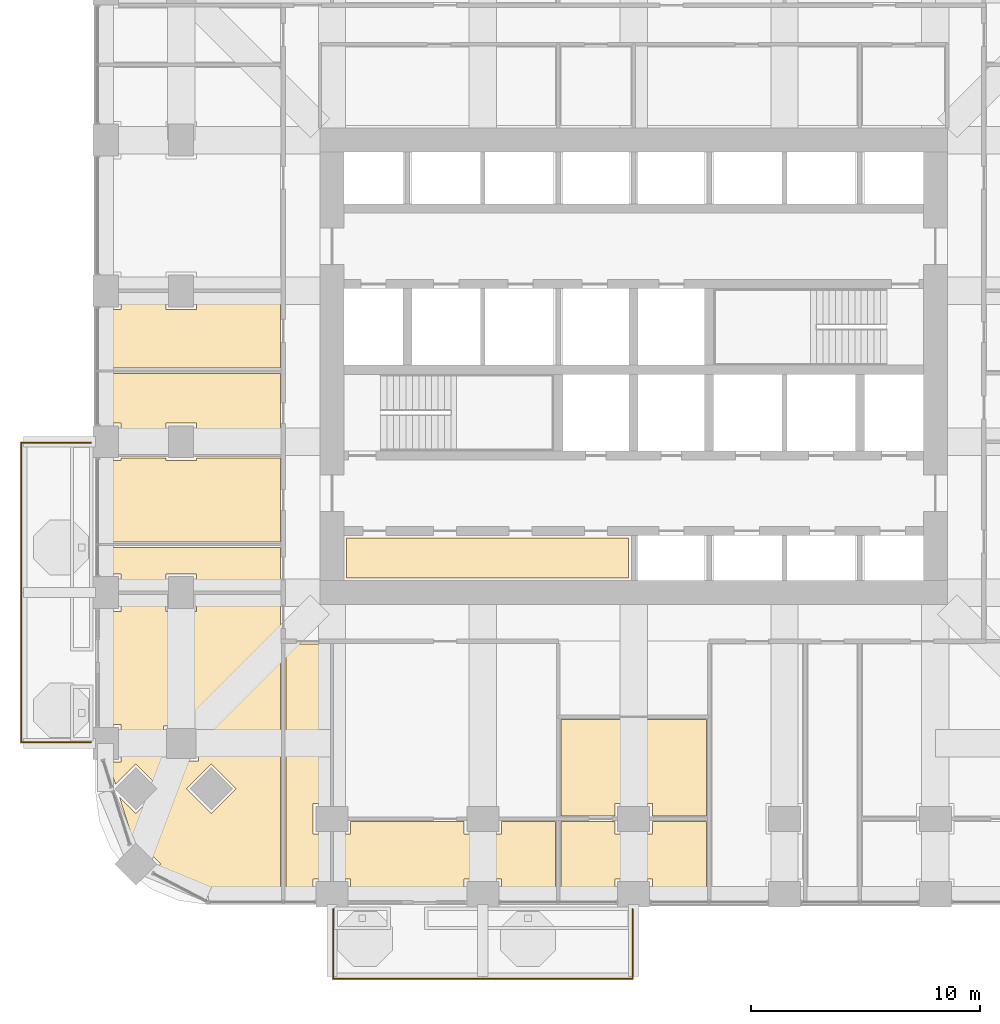
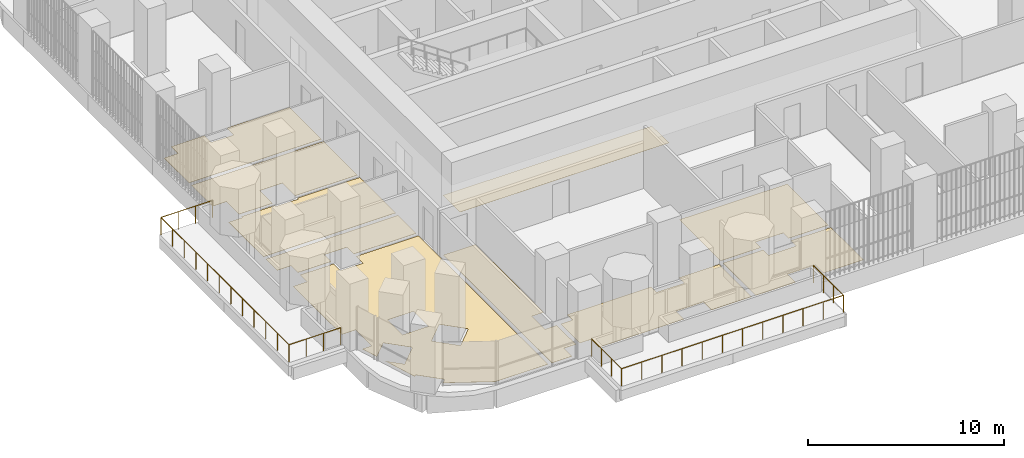
# One storey, part 17 of 21: 10 coverings, 2 railings.
"""IFC4 building model written with IfcOpenShell, lengths in metres."""

from ifc_helpers import new_model, si_unit, direction, frame, origin, place, context, subcontext, project, spatial, polyline, outline, extrude, material, layer, layer_set, type_object, element, save


model = new_model("IFC4")

# Units and contexts
model_context = context("Model", 3, precision=1e-05, world=origin(), true_north=direction((0.0, 1.0)))
body_context = subcontext(model_context, "Body", "Model", "MODEL_VIEW")
ifc_project = project(units=[si_unit("LENGTHUNIT", "METRE"), si_unit("AREAUNIT", "SQUARE_METRE"), si_unit("VOLUMEUNIT", "CUBIC_METRE"), si_unit("PLANEANGLEUNIT", "RADIAN"), si_unit("MASSUNIT", "GRAM", prefix="KILO")], contexts=[model_context])

# Site, building, storey
site_placement = place(None, origin())
site = spatial("IfcSite", under=ifc_project, at=site_placement, CompositionType="ELEMENT")
building_placement = place(site_placement, origin())
building = spatial("IfcBuilding", under=site, at=building_placement, Name="Cobogo Forest Laboratory Tower", CompositionType="ELEMENT")
storey_placement = place(building_placement, frame((0.0, 0.0, 115.800048828125)))
storey = spatial("IfcBuildingStorey", under=building, at=storey_placement, Name="L26", CompositionType="ELEMENT", Elevation=115.800048828125)

# Railings
ifc_material_1 = material(Name="Laminated glass balustrade", Category="glass")
railing_type = type_object("IfcRailingType", Name="BG1 glass balustrade 1100", PredefinedType="GUARDRAIL", material=ifc_material_1)
railing_1_placement = place(storey_placement, frame((13.25, -0.64990234375, 0.0)))
element("IfcRailing", 1, at=railing_1_placement, inside=storey, type_object=railing_type, Name="Balcony balustrade BAL-S1 L26", PredefinedType="GUARDRAIL", context=body_context, shape_type="SweptSolid", body=[
    extrude(outline(polyline([(0.022216796875, 0.00927734375), (0.00927734375, 0.022216796875), (-0.00927734375, 0.022216796875), (-0.022216796875, 0.00927734375), (-0.022216796875, -0.00927734375), (-0.00927734375, -0.022216796875), (0.00927734375, -0.022216796875), (0.022216796875, -0.00927734375), (0.022216796875, 0.00927734375)])), frame((0.0, 0.0, 1.077880859375), z_axis=(0.0, -1.0, 0.0), x_axis=(1.0, 0.0, 0.0)), (0.0, 0.0, 1.0), 3.050048828125),
    extrude(outline(polyline([(0.022216796875, 0.00927734375), (0.00927734375, 0.022216796875), (-0.00927734375, 0.022216796875), (-0.022216796875, 0.00927734375), (-0.022216796875, -0.00927734375), (-0.00927734375, -0.022216796875), (0.00927734375, -0.022216796875), (0.022216796875, -0.00927734375), (0.022216796875, 0.00927734375)])), frame((0.0, -3.050048828125, 1.077880859375), z_axis=(1.0, 0.0, 0.0), x_axis=(0.0, 1.0, 0.0)), (0.0, 0.0, 1.0), 13.10009765625),
    extrude(outline(polyline([(0.022216796875, 0.00927734375), (0.00927734375, 0.022216796875), (-0.00927734375, 0.022216796875), (-0.022216796875, 0.00927734375), (-0.022216796875, -0.00927734375), (-0.00927734375, -0.022216796875), (0.00927734375, -0.022216796875), (0.022216796875, -0.00927734375), (0.022216796875, 0.00927734375)])), frame((13.10009765625, -3.050048828125, 1.077880859375), z_axis=(0.0, 1.0, 0.0), x_axis=(-1.0, 0.0, 0.0)), (0.0, 0.0, 1.0), 3.050048828125),
    extrude(outline(polyline([(0.019287109375, 0.008056640625), (0.008056640625, 0.019287109375), (-0.008056640625, 0.019287109375), (-0.019287109375, 0.008056640625), (-0.019287109375, -0.008056640625), (-0.008056640625, -0.019287109375), (0.008056640625, -0.019287109375), (0.019287109375, -0.008056640625), (0.019287109375, 0.008056640625)])), origin(), (0.0, 0.0, 1.0), 1.077880859375),
    extrude(outline(polyline([(0.019287109375, 0.008056640625), (0.008056640625, 0.019287109375), (-0.008056640625, 0.019287109375), (-0.019287109375, 0.008056640625), (-0.019287109375, -0.008056640625), (-0.008056640625, -0.019287109375), (0.008056640625, -0.019287109375), (0.019287109375, -0.008056640625), (0.019287109375, 0.008056640625)])), frame((0.0, -1.0166015625, 0.0)), (0.0, 0.0, 1.0), 1.077880859375),
    extrude(outline(polyline([(0.019287109375, 0.008056640625), (0.008056640625, 0.019287109375), (-0.008056640625, 0.019287109375), (-0.019287109375, 0.008056640625), (-0.019287109375, -0.008056640625), (-0.008056640625, -0.019287109375), (0.008056640625, -0.019287109375), (0.019287109375, -0.008056640625), (0.019287109375, 0.008056640625)])), frame((0.0, -2.033447265625, 0.0)), (0.0, 0.0, 1.0), 1.077880859375),
    extrude(outline(polyline([(0.019287109375, 0.008056640625), (0.008056640625, 0.019287109375), (-0.008056640625, 0.019287109375), (-0.019287109375, 0.008056640625), (-0.019287109375, -0.008056640625), (-0.008056640625, -0.019287109375), (0.008056640625, -0.019287109375), (0.019287109375, -0.008056640625), (0.019287109375, 0.008056640625)])), frame((0.0, -3.050048828125, 0.0)), (0.0, 0.0, 1.0), 1.077880859375),
    extrude(outline(polyline([(0.019287109375, 0.008056640625), (0.008056640625, 0.019287109375), (-0.008056640625, 0.019287109375), (-0.019287109375, 0.008056640625), (-0.019287109375, -0.008056640625), (-0.008056640625, -0.019287109375), (0.008056640625, -0.019287109375), (0.019287109375, -0.008056640625), (0.019287109375, 0.008056640625)])), frame((1.19091796875, -3.050048828125, 0.0)), (0.0, 0.0, 1.0), 1.077880859375),
    extrude(outline(polyline([(0.019287109375, 0.008056640625), (0.008056640625, 0.019287109375), (-0.008056640625, 0.019287109375), (-0.019287109375, 0.008056640625), (-0.019287109375, -0.008056640625), (-0.008056640625, -0.019287109375), (0.008056640625, -0.019287109375), (0.019287109375, -0.008056640625), (0.019287109375, 0.008056640625)])), frame((2.3818359375, -3.050048828125, 0.0)), (0.0, 0.0, 1.0), 1.077880859375),
    extrude(outline(polyline([(0.019287109375, 0.008056640625), (0.008056640625, 0.019287109375), (-0.008056640625, 0.019287109375), (-0.019287109375, 0.008056640625), (-0.019287109375, -0.008056640625), (-0.008056640625, -0.019287109375), (0.008056640625, -0.019287109375), (0.019287109375, -0.008056640625), (0.019287109375, 0.008056640625)])), frame((3.57275390625, -3.050048828125, 0.0)), (0.0, 0.0, 1.0), 1.077880859375),
    extrude(outline(polyline([(0.019287109375, 0.008056640625), (0.008056640625, 0.019287109375), (-0.008056640625, 0.019287109375), (-0.019287109375, 0.008056640625), (-0.019287109375, -0.008056640625), (-0.008056640625, -0.019287109375), (0.008056640625, -0.019287109375), (0.019287109375, -0.008056640625), (0.019287109375, 0.008056640625)])), frame((4.763671875, -3.050048828125, 0.0)), (0.0, 0.0, 1.0), 1.077880859375),
    extrude(outline(polyline([(0.019287109375, 0.008056640625), (0.008056640625, 0.019287109375), (-0.008056640625, 0.019287109375), (-0.019287109375, 0.008056640625), (-0.019287109375, -0.008056640625), (-0.008056640625, -0.019287109375), (0.008056640625, -0.019287109375), (0.019287109375, -0.008056640625), (0.019287109375, 0.008056640625)])), frame((5.95458984375, -3.050048828125, 0.0)), (0.0, 0.0, 1.0), 1.077880859375),
    extrude(outline(polyline([(0.019287109375, 0.008056640625), (0.008056640625, 0.019287109375), (-0.008056640625, 0.019287109375), (-0.019287109375, 0.008056640625), (-0.019287109375, -0.008056640625), (-0.008056640625, -0.019287109375), (0.008056640625, -0.019287109375), (0.019287109375, -0.008056640625), (0.019287109375, 0.008056640625)])), frame((7.1455078125, -3.050048828125, 0.0)), (0.0, 0.0, 1.0), 1.077880859375),
    extrude(outline(polyline([(0.019287109375, 0.008056640625), (0.008056640625, 0.019287109375), (-0.008056640625, 0.019287109375), (-0.019287109375, 0.008056640625), (-0.019287109375, -0.008056640625), (-0.008056640625, -0.019287109375), (0.008056640625, -0.019287109375), (0.019287109375, -0.008056640625), (0.019287109375, 0.008056640625)])), frame((8.33642578125, -3.050048828125, 0.0)), (0.0, 0.0, 1.0), 1.077880859375),
    extrude(outline(polyline([(0.019287109375, 0.008056640625), (0.008056640625, 0.019287109375), (-0.008056640625, 0.019287109375), (-0.019287109375, 0.008056640625), (-0.019287109375, -0.008056640625), (-0.008056640625, -0.019287109375), (0.008056640625, -0.019287109375), (0.019287109375, -0.008056640625), (0.019287109375, 0.008056640625)])), frame((9.52734375, -3.050048828125, 0.0)), (0.0, 0.0, 1.0), 1.077880859375),
    extrude(outline(polyline([(0.019287109375, 0.008056640625), (0.008056640625, 0.019287109375), (-0.008056640625, 0.019287109375), (-0.019287109375, 0.008056640625), (-0.019287109375, -0.008056640625), (-0.008056640625, -0.019287109375), (0.008056640625, -0.019287109375), (0.019287109375, -0.008056640625), (0.019287109375, 0.008056640625)])), frame((10.71826171875, -3.050048828125, 0.0)), (0.0, 0.0, 1.0), 1.077880859375),
    extrude(outline(polyline([(0.019287109375, 0.008056640625), (0.008056640625, 0.019287109375), (-0.008056640625, 0.019287109375), (-0.019287109375, 0.008056640625), (-0.019287109375, -0.008056640625), (-0.008056640625, -0.019287109375), (0.008056640625, -0.019287109375), (0.019287109375, -0.008056640625), (0.019287109375, 0.008056640625)])), frame((11.9091796875, -3.050048828125, 0.0)), (0.0, 0.0, 1.0), 1.077880859375),
    extrude(outline(polyline([(0.019287109375, 0.008056640625), (0.008056640625, 0.019287109375), (-0.008056640625, 0.019287109375), (-0.019287109375, 0.008056640625), (-0.019287109375, -0.008056640625), (-0.008056640625, -0.019287109375), (0.008056640625, -0.019287109375), (0.019287109375, -0.008056640625), (0.019287109375, 0.008056640625)])), frame((13.10009765625, -3.050048828125, 0.0)), (0.0, 0.0, 1.0), 1.077880859375),
    extrude(outline(polyline([(0.019287109375, 0.008056640625), (0.008056640625, 0.019287109375), (-0.008056640625, 0.019287109375), (-0.019287109375, 0.008056640625), (-0.019287109375, -0.008056640625), (-0.008056640625, -0.019287109375), (0.008056640625, -0.019287109375), (0.019287109375, -0.008056640625), (0.019287109375, 0.008056640625)])), frame((13.10009765625, -2.033447265625, 0.0)), (0.0, 0.0, 1.0), 1.077880859375),
    extrude(outline(polyline([(0.019287109375, 0.008056640625), (0.008056640625, 0.019287109375), (-0.008056640625, 0.019287109375), (-0.019287109375, 0.008056640625), (-0.019287109375, -0.008056640625), (-0.008056640625, -0.019287109375), (0.008056640625, -0.019287109375), (0.019287109375, -0.008056640625), (0.019287109375, 0.008056640625)])), frame((13.10009765625, -1.0166015625, 0.0)), (0.0, 0.0, 1.0), 1.077880859375),
    extrude(outline(polyline([(0.019287109375, 0.008056640625), (0.008056640625, 0.019287109375), (-0.008056640625, 0.019287109375), (-0.019287109375, 0.008056640625), (-0.019287109375, -0.008056640625), (-0.008056640625, -0.019287109375), (0.008056640625, -0.019287109375), (0.019287109375, -0.008056640625), (0.019287109375, 0.008056640625)])), frame((13.10009765625, 0.0, 0.0)), (0.0, 0.0, 1.0), 1.077880859375),
])
railing_2_placement = place(storey_placement, frame((2.64990234375, 6.64990234375, 0.0)))
element("IfcRailing", 2, at=railing_2_placement, inside=storey, type_object=railing_type, Name="Balcony balustrade BAL-W1 L26", PredefinedType="GUARDRAIL", context=body_context, shape_type="SweptSolid", body=[
    extrude(outline(polyline([(0.022216796875, 0.00927734375), (0.00927734375, 0.022216796875), (-0.00927734375, 0.022216796875), (-0.022216796875, 0.00927734375), (-0.022216796875, -0.00927734375), (-0.00927734375, -0.022216796875), (0.00927734375, -0.022216796875), (0.022216796875, -0.00927734375), (0.022216796875, 0.00927734375)])), frame((0.0, 0.0, 1.077880859375), z_axis=(-1.0, 0.0, 0.0), x_axis=(0.0, -1.0, 0.0)), (0.0, 0.0, 1.0), 3.0498046875),
    extrude(outline(polyline([(0.022216796875, 0.00927734375), (0.00927734375, 0.022216796875), (-0.00927734375, 0.022216796875), (-0.022216796875, 0.00927734375), (-0.022216796875, -0.00927734375), (-0.00927734375, -0.022216796875), (0.00927734375, -0.022216796875), (0.022216796875, -0.00927734375), (0.022216796875, 0.00927734375)])), frame((-3.0498046875, 0.0, 1.077880859375), z_axis=(0.0, 1.0, 0.0), x_axis=(-1.0, 0.0, 0.0)), (0.0, 0.0, 1.0), 13.10009765625),
    extrude(outline(polyline([(0.022216796875, 0.00927734375), (0.00927734375, 0.022216796875), (-0.00927734375, 0.022216796875), (-0.022216796875, 0.00927734375), (-0.022216796875, -0.00927734375), (-0.00927734375, -0.022216796875), (0.00927734375, -0.022216796875), (0.022216796875, -0.00927734375), (0.022216796875, 0.00927734375)])), frame((-3.0498046875, 13.10009765625, 1.077880859375), z_axis=(1.0, 0.0, 0.0), x_axis=(0.0, 1.0, 0.0)), (0.0, 0.0, 1.0), 3.0498046875),
    extrude(outline(polyline([(0.019287109375, 0.008056640625), (0.008056640625, 0.019287109375), (-0.008056640625, 0.019287109375), (-0.019287109375, 0.008056640625), (-0.019287109375, -0.008056640625), (-0.008056640625, -0.019287109375), (0.008056640625, -0.019287109375), (0.019287109375, -0.008056640625), (0.019287109375, 0.008056640625)])), origin(), (0.0, 0.0, 1.0), 1.077880859375),
    extrude(outline(polyline([(0.019287109375, 0.008056640625), (0.008056640625, 0.019287109375), (-0.008056640625, 0.019287109375), (-0.019287109375, 0.008056640625), (-0.019287109375, -0.008056640625), (-0.008056640625, -0.019287109375), (0.008056640625, -0.019287109375), (0.019287109375, -0.008056640625), (0.019287109375, 0.008056640625)])), frame((-1.0166015625, 0.0, 0.0)), (0.0, 0.0, 1.0), 1.077880859375),
    extrude(outline(polyline([(0.019287109375, 0.008056640625), (0.008056640625, 0.019287109375), (-0.008056640625, 0.019287109375), (-0.019287109375, 0.008056640625), (-0.019287109375, -0.008056640625), (-0.008056640625, -0.019287109375), (0.008056640625, -0.019287109375), (0.019287109375, -0.008056640625), (0.019287109375, 0.008056640625)])), frame((-2.033203125, 0.0, 0.0)), (0.0, 0.0, 1.0), 1.077880859375),
    extrude(outline(polyline([(0.019287109375, 0.008056640625), (0.008056640625, 0.019287109375), (-0.008056640625, 0.019287109375), (-0.019287109375, 0.008056640625), (-0.019287109375, -0.008056640625), (-0.008056640625, -0.019287109375), (0.008056640625, -0.019287109375), (0.019287109375, -0.008056640625), (0.019287109375, 0.008056640625)])), frame((-3.0498046875, 0.0, 0.0)), (0.0, 0.0, 1.0), 1.077880859375),
    extrude(outline(polyline([(0.019287109375, 0.008056640625), (0.008056640625, 0.019287109375), (-0.008056640625, 0.019287109375), (-0.019287109375, 0.008056640625), (-0.019287109375, -0.008056640625), (-0.008056640625, -0.019287109375), (0.008056640625, -0.019287109375), (0.019287109375, -0.008056640625), (0.019287109375, 0.008056640625)])), frame((-3.0498046875, 1.19091796875, 0.0)), (0.0, 0.0, 1.0), 1.077880859375),
    extrude(outline(polyline([(0.019287109375, 0.008056640625), (0.008056640625, 0.019287109375), (-0.008056640625, 0.019287109375), (-0.019287109375, 0.008056640625), (-0.019287109375, -0.008056640625), (-0.008056640625, -0.019287109375), (0.008056640625, -0.019287109375), (0.019287109375, -0.008056640625), (0.019287109375, 0.008056640625)])), frame((-3.0498046875, 2.3818359375, 0.0)), (0.0, 0.0, 1.0), 1.077880859375),
    extrude(outline(polyline([(0.019287109375, 0.008056640625), (0.008056640625, 0.019287109375), (-0.008056640625, 0.019287109375), (-0.019287109375, 0.008056640625), (-0.019287109375, -0.008056640625), (-0.008056640625, -0.019287109375), (0.008056640625, -0.019287109375), (0.019287109375, -0.008056640625), (0.019287109375, 0.008056640625)])), frame((-3.0498046875, 3.57275390625, 0.0)), (0.0, 0.0, 1.0), 1.077880859375),
    extrude(outline(polyline([(0.019287109375, 0.008056640625), (0.008056640625, 0.019287109375), (-0.008056640625, 0.019287109375), (-0.019287109375, 0.008056640625), (-0.019287109375, -0.008056640625), (-0.008056640625, -0.019287109375), (0.008056640625, -0.019287109375), (0.019287109375, -0.008056640625), (0.019287109375, 0.008056640625)])), frame((-3.0498046875, 4.763671875, 0.0)), (0.0, 0.0, 1.0), 1.077880859375),
    extrude(outline(polyline([(0.019287109375, 0.008056640625), (0.008056640625, 0.019287109375), (-0.008056640625, 0.019287109375), (-0.019287109375, 0.008056640625), (-0.019287109375, -0.008056640625), (-0.008056640625, -0.019287109375), (0.008056640625, -0.019287109375), (0.019287109375, -0.008056640625), (0.019287109375, 0.008056640625)])), frame((-3.0498046875, 5.95458984375, 0.0)), (0.0, 0.0, 1.0), 1.077880859375),
    extrude(outline(polyline([(0.019287109375, 0.008056640625), (0.008056640625, 0.019287109375), (-0.008056640625, 0.019287109375), (-0.019287109375, 0.008056640625), (-0.019287109375, -0.008056640625), (-0.008056640625, -0.019287109375), (0.008056640625, -0.019287109375), (0.019287109375, -0.008056640625), (0.019287109375, 0.008056640625)])), frame((-3.0498046875, 7.1455078125, 0.0)), (0.0, 0.0, 1.0), 1.077880859375),
    extrude(outline(polyline([(0.019287109375, 0.008056640625), (0.008056640625, 0.019287109375), (-0.008056640625, 0.019287109375), (-0.019287109375, 0.008056640625), (-0.019287109375, -0.008056640625), (-0.008056640625, -0.019287109375), (0.008056640625, -0.019287109375), (0.019287109375, -0.008056640625), (0.019287109375, 0.008056640625)])), frame((-3.0498046875, 8.33642578125, 0.0)), (0.0, 0.0, 1.0), 1.077880859375),
    extrude(outline(polyline([(0.019287109375, 0.008056640625), (0.008056640625, 0.019287109375), (-0.008056640625, 0.019287109375), (-0.019287109375, 0.008056640625), (-0.019287109375, -0.008056640625), (-0.008056640625, -0.019287109375), (0.008056640625, -0.019287109375), (0.019287109375, -0.008056640625), (0.019287109375, 0.008056640625)])), frame((-3.0498046875, 9.52734375, 0.0)), (0.0, 0.0, 1.0), 1.077880859375),
    extrude(outline(polyline([(0.019287109375, 0.008056640625), (0.008056640625, 0.019287109375), (-0.008056640625, 0.019287109375), (-0.019287109375, 0.008056640625), (-0.019287109375, -0.008056640625), (-0.008056640625, -0.019287109375), (0.008056640625, -0.019287109375), (0.019287109375, -0.008056640625), (0.019287109375, 0.008056640625)])), frame((-3.0498046875, 10.71826171875, 0.0)), (0.0, 0.0, 1.0), 1.077880859375),
    extrude(outline(polyline([(0.019287109375, 0.008056640625), (0.008056640625, 0.019287109375), (-0.008056640625, 0.019287109375), (-0.019287109375, 0.008056640625), (-0.019287109375, -0.008056640625), (-0.008056640625, -0.019287109375), (0.008056640625, -0.019287109375), (0.019287109375, -0.008056640625), (0.019287109375, 0.008056640625)])), frame((-3.0498046875, 11.9091796875, 0.0)), (0.0, 0.0, 1.0), 1.077880859375),
    extrude(outline(polyline([(0.019287109375, 0.008056640625), (0.008056640625, 0.019287109375), (-0.008056640625, 0.019287109375), (-0.019287109375, 0.008056640625), (-0.019287109375, -0.008056640625), (-0.008056640625, -0.019287109375), (0.008056640625, -0.019287109375), (0.019287109375, -0.008056640625), (0.019287109375, 0.008056640625)])), frame((-3.0498046875, 13.10009765625, 0.0)), (0.0, 0.0, 1.0), 1.077880859375),
    extrude(outline(polyline([(0.019287109375, 0.008056640625), (0.008056640625, 0.019287109375), (-0.008056640625, 0.019287109375), (-0.019287109375, 0.008056640625), (-0.019287109375, -0.008056640625), (-0.008056640625, -0.019287109375), (0.008056640625, -0.019287109375), (0.019287109375, -0.008056640625), (0.019287109375, 0.008056640625)])), frame((-2.033203125, 13.10009765625, 0.0)), (0.0, 0.0, 1.0), 1.077880859375),
    extrude(outline(polyline([(0.019287109375, 0.008056640625), (0.008056640625, 0.019287109375), (-0.008056640625, 0.019287109375), (-0.019287109375, 0.008056640625), (-0.019287109375, -0.008056640625), (-0.008056640625, -0.019287109375), (0.008056640625, -0.019287109375), (0.019287109375, -0.008056640625), (0.019287109375, 0.008056640625)])), frame((-1.0166015625, 13.10009765625, 0.0)), (0.0, 0.0, 1.0), 1.077880859375),
    extrude(outline(polyline([(0.019287109375, 0.008056640625), (0.008056640625, 0.019287109375), (-0.008056640625, 0.019287109375), (-0.019287109375, 0.008056640625), (-0.019287109375, -0.008056640625), (-0.008056640625, -0.019287109375), (0.008056640625, -0.019287109375), (0.019287109375, -0.008056640625), (0.019287109375, 0.008056640625)])), frame((0.0, 13.10009765625, 0.0)), (0.0, 0.0, 1.0), 1.077880859375),
])

# Coverings
ifc_material_2 = material(Name="Carpet tile on raised access floor", Category="flooring")
ifc_layer_1 = layer(ifc_material_2, 0.008056640625)
ifc_layer_set_1 = layer_set([ifc_layer_1], Name="CT1 carpet tile floor 8")
covering_type_1 = type_object("IfcCoveringType", Name="CT1 carpet tile floor 8", PredefinedType="FLOORING", material=ifc_layer_set_1)
covering_1_placement = place(storey_placement, origin())
element("IfcCovering", 3, at=covering_1_placement, inside=storey, type_object=covering_type_1, Name="Carpet floor L26-05", PredefinedType="FLOORING", context=body_context, shape_type="SweptSolid", body=[
    extrude(outline(polyline([(13.080078125, 10.955078125), (13.080078125, 3.969970703125), (12.3798828125, 3.969970703125), (12.3798828125, 2.6298828125), (13.080078125, 2.6298828125), (13.080078125, 0.669921875), (12.3798828125, 0.669921875), (12.3798828125, -0.14990234375), (11.195068359375, -0.14990234375), (11.195068359375, 10.955078125), (13.080078125, 10.955078125)])), origin(), (0.0, 0.0, 1.0), 0.008056640625),
])
covering_2_placement = place(storey_placement, origin())
element("IfcCovering", 4, at=covering_2_placement, inside=storey, type_object=covering_type_1, Name="Carpet floor L26-07", PredefinedType="FLOORING", context=body_context, shape_type="SweptSolid", body=[
    extrude(outline(polyline([(18.97998046875, 3.179931640625), (18.97998046875, 2.6298828125), (20.6201171875, 2.6298828125), (20.6201171875, 3.179931640625), (22.97998046875, 3.179931640625), (22.97998046875, -0.14990234375), (20.6201171875, -0.14990234375), (20.6201171875, 0.669921875), (18.97998046875, 0.669921875), (18.97998046875, -0.14990234375), (14.02001953125, -0.14990234375), (14.02001953125, 0.669921875), (13.320068359375, 0.669921875), (13.320068359375, 2.6298828125), (14.02001953125, 2.6298828125), (14.02001953125, 3.179931640625), (18.97998046875, 3.179931640625)])), origin(), (0.0, 0.0, 1.0), 0.008056640625),
])
covering_3_placement = place(storey_placement, origin())
element("IfcCovering", 5, at=covering_3_placement, inside=storey, type_object=covering_type_1, Name="Carpet floor L26-09", PredefinedType="FLOORING", context=body_context, shape_type="SweptSolid", body=[
    extrude(outline(polyline([(25.580078125, 3.179931640625), (25.580078125, 2.6298828125), (27.219970703125, 2.6298828125), (27.219970703125, 3.179931640625), (29.580078125, 3.179931640625), (29.580078125, -0.14990234375), (27.219970703125, -0.14990234375), (27.219970703125, 0.669921875), (25.580078125, 0.669921875), (25.580078125, -0.14990234375), (23.219970703125, -0.14990234375), (23.219970703125, 3.179931640625), (25.580078125, 3.179931640625)])), origin(), (0.0, 0.0, 1.0), 0.008056640625),
])
covering_4_placement = place(storey_placement, origin())
element("IfcCovering", 6, at=covering_4_placement, inside=storey, type_object=covering_type_1, Name="Carpet floor L26-23", PredefinedType="FLOORING", context=body_context, shape_type="SweptSolid", body=[
    extrude(outline(polyline([(3.904052734375, 4.2431640625), (4.617919921875, 3.529052734375), (5.70703125, 4.617919921875), (4.617919921875, 5.70703125), (3.72412109375, 4.81298828125), (3.418701171875, 5.780029296875), (3.969970703125, 5.780029296875), (3.969970703125, 7.419921875), (3.14990234375, 7.419921875), (3.14990234375, 12.3798828125), (3.969970703125, 12.3798828125), (3.969970703125, 13.080078125), (5.929931640625, 13.080078125), (5.929931640625, 12.3798828125), (7.27001953125, 12.3798828125), (7.27001953125, 13.080078125), (10.955078125, 13.080078125), (10.955078125, -0.14990234375), (7.84912109375, -0.14990234375), (5.480712890625, 1.091552734375), (5.70703125, 1.318115234375), (4.617919921875, 2.406982421875), (4.51611328125, 2.304931640625), (3.904052734375, 4.2431640625)]), holes=[polyline([(6.8291015625, 4.617919921875), (7.91796875, 3.529052734375), (9.007080078125, 4.617919921875), (7.91796875, 5.70703125), (6.8291015625, 4.617919921875)]), polyline([(5.830078125, 7.3701171875), (5.830078125, 5.830078125), (7.3701171875, 5.830078125), (7.3701171875, 7.3701171875), (5.830078125, 7.3701171875)])]), origin(), (0.0, 0.0, 1.0), 0.008056640625),
])
covering_5_placement = place(storey_placement, origin())
element("IfcCovering", 7, at=covering_5_placement, inside=storey, type_object=covering_type_1, Name="Carpet floor L26-37", PredefinedType="FLOORING", context=body_context, shape_type="SweptSolid", body=[
    extrude(outline(polyline([(26.179931640625, 13.844970703125), (13.844970703125, 13.844970703125), (13.844970703125, 15.580078125), (26.179931640625, 15.580078125), (26.179931640625, 13.844970703125)])), origin(), (0.0, 0.0, 1.0), 0.008056640625),
])
ifc_material_3 = material(Name="Epoxy resin flooring", Category="flooring")
ifc_layer_2 = layer(ifc_material_3, 0.00390625)
ifc_layer_set_2 = layer_set([ifc_layer_2], Name="LF1 epoxy laboratory floor 4")
covering_type_2 = type_object("IfcCoveringType", Name="LF1 epoxy laboratory floor 4", PredefinedType="FLOORING", material=ifc_layer_set_2)
covering_6_placement = place(storey_placement, origin())
element("IfcCovering", 8, at=covering_6_placement, inside=storey, type_object=covering_type_2, Name="Epoxy laboratory floor L26-08", PredefinedType="FLOORING", context=body_context, shape_type="SweptSolid", body=[
    extrude(outline(polyline([(23.219970703125, 7.655029296875), (29.580078125, 7.655029296875), (29.580078125, 3.419921875), (27.219970703125, 3.419921875), (27.219970703125, 3.969970703125), (25.580078125, 3.969970703125), (25.580078125, 3.419921875), (23.219970703125, 3.419921875), (23.219970703125, 7.655029296875)])), origin(), (0.0, 0.0, 1.0), 0.00390625),
])
ifc_material_4 = material(Name="Ceramic floor tile", Category="flooring")
ifc_layer_3 = layer(ifc_material_4, 0.010009765625)
ifc_layer_set_3 = layer_set([ifc_layer_3], Name="TF1 ceramic tile floor 10")
covering_type_3 = type_object("IfcCoveringType", Name="TF1 ceramic tile floor 10", PredefinedType="FLOORING", material=ifc_layer_set_3)
covering_7_placement = place(storey_placement, origin())
element("IfcCovering", 9, at=covering_7_placement, inside=storey, type_object=covering_type_3, Name="Tile floor L26-24", PredefinedType="FLOORING", context=body_context, shape_type="SweptSolid", body=[
    extrude(outline(polyline([(10.955078125, 13.320068359375), (7.27001953125, 13.320068359375), (7.27001953125, 14.02001953125), (5.929931640625, 14.02001953125), (5.929931640625, 13.320068359375), (3.969970703125, 13.320068359375), (3.969970703125, 14.02001953125), (3.14990234375, 14.02001953125), (3.14990234375, 15.179931640625), (10.955078125, 15.179931640625), (10.955078125, 13.320068359375)])), origin(), (0.0, 0.0, 1.0), 0.010009765625),
])
covering_8_placement = place(storey_placement, origin())
element("IfcCovering", 10, at=covering_8_placement, inside=storey, type_object=covering_type_3, Name="Tile floor L26-25", PredefinedType="FLOORING", context=body_context, shape_type="SweptSolid", body=[
    extrude(outline(polyline([(3.969970703125, 19.080078125), (5.929931640625, 19.080078125), (5.929931640625, 18.97998046875), (7.27001953125, 18.97998046875), (7.27001953125, 19.080078125), (10.955078125, 19.080078125), (10.955078125, 15.419921875), (3.14990234375, 15.419921875), (3.14990234375, 18.97998046875), (3.969970703125, 18.97998046875), (3.969970703125, 19.080078125)])), origin(), (0.0, 0.0, 1.0), 0.010009765625),
])
covering_9_placement = place(storey_placement, origin())
element("IfcCovering", 11, at=covering_9_placement, inside=storey, type_object=covering_type_3, Name="Tile floor L26-26", PredefinedType="FLOORING", context=body_context, shape_type="SweptSolid", body=[
    extrude(outline(polyline([(10.955078125, 19.320068359375), (7.27001953125, 19.320068359375), (7.27001953125, 20.6201171875), (5.929931640625, 20.6201171875), (5.929931640625, 19.320068359375), (3.969970703125, 19.320068359375), (3.969970703125, 20.6201171875), (3.14990234375, 20.6201171875), (3.14990234375, 22.780029296875), (10.955078125, 22.780029296875), (10.955078125, 19.320068359375)])), origin(), (0.0, 0.0, 1.0), 0.010009765625),
])
covering_10_placement = place(storey_placement, origin())
element("IfcCovering", 12, at=covering_10_placement, inside=storey, type_object=covering_type_3, Name="Tile floor L26-27", PredefinedType="FLOORING", context=body_context, shape_type="SweptSolid", body=[
    extrude(outline(polyline([(10.955078125, 23.02001953125), (3.14990234375, 23.02001953125), (3.14990234375, 25.580078125), (3.969970703125, 25.580078125), (3.969970703125, 26.280029296875), (5.929931640625, 26.280029296875), (5.929931640625, 25.580078125), (7.27001953125, 25.580078125), (7.27001953125, 26.280029296875), (10.955078125, 26.280029296875), (10.955078125, 23.02001953125)])), origin(), (0.0, 0.0, 1.0), 0.010009765625),
])

save(model, "model.ifc")
